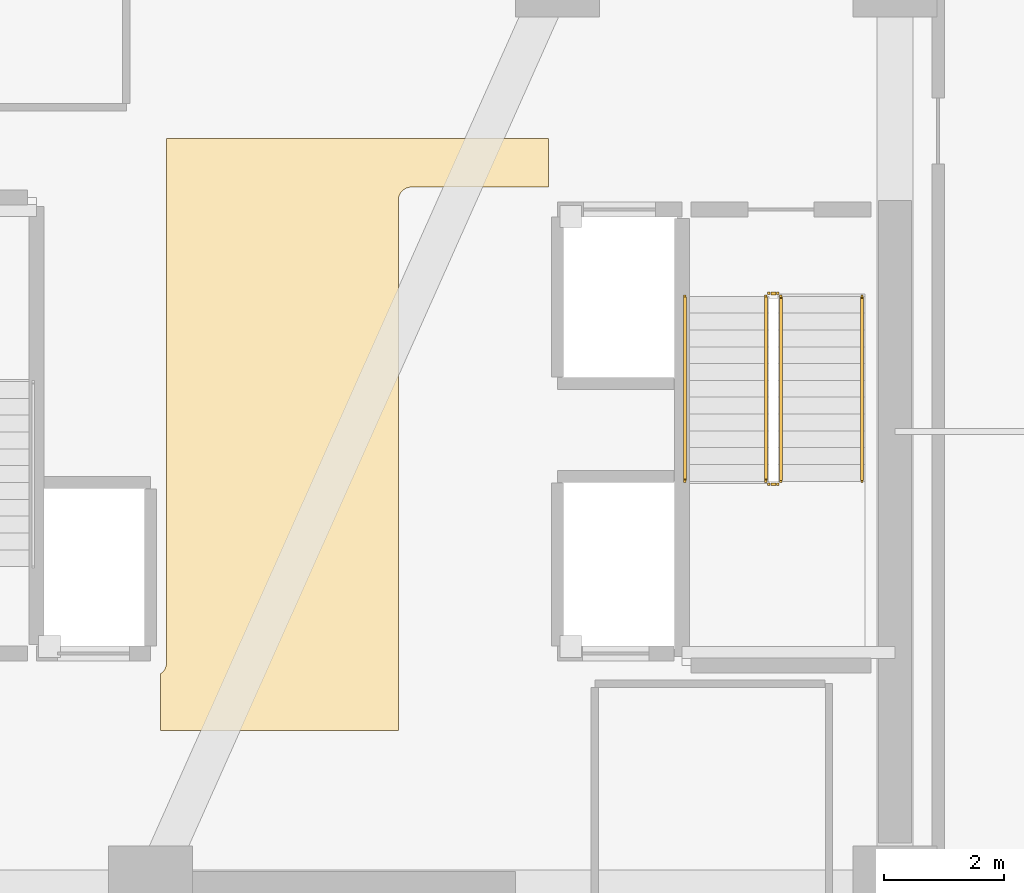
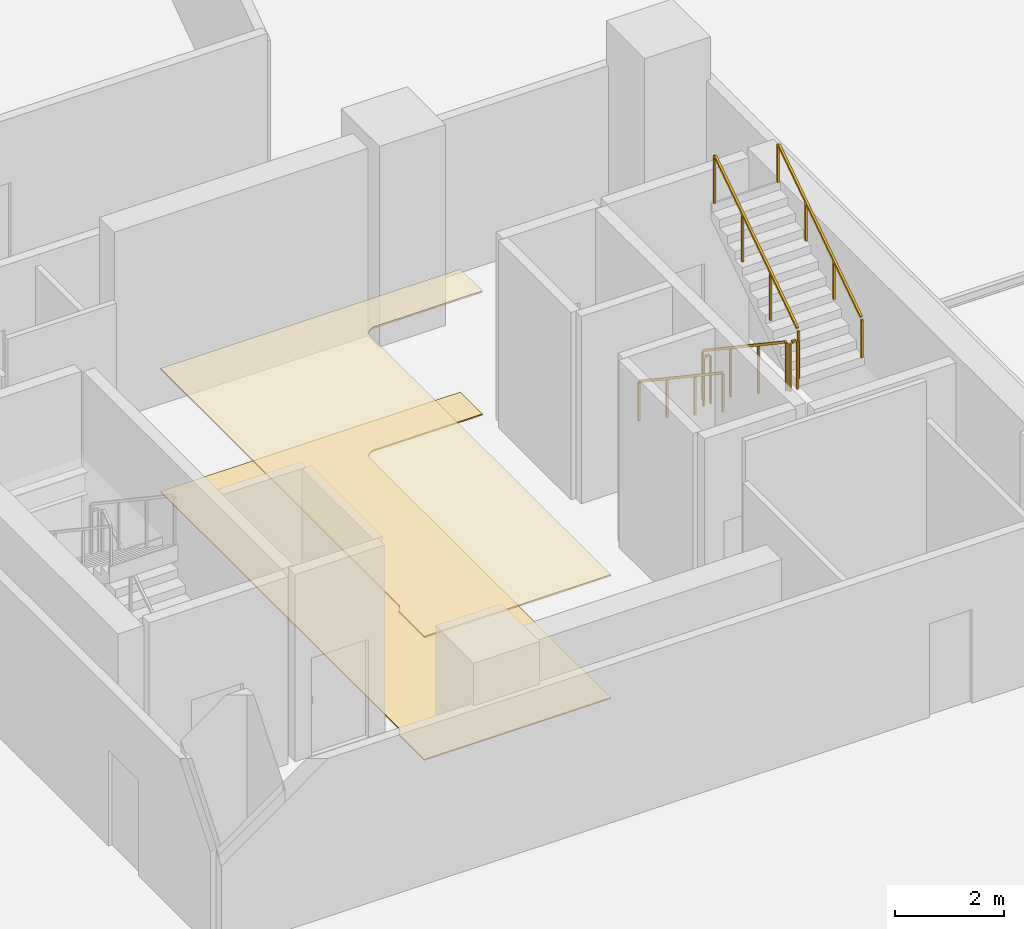
# One storey, part 12 of 14: 6 railings, 2 coverings.
"""IFC4 building model written with IfcOpenShell, lengths in metres."""

import ifcopenshell
import ifcopenshell.guid

model = None  # the IFC model being written
_history = None  # IfcOwnerHistory: only IFC2X3 demands one
_inside = {}  # id of a spatial element -> (the spatial element, [elements in it])
_under = {}  # id of a project, library or spatial element -> (it, [spatial elements below it])
_declared = {}  # id of a project -> (the project, [libraries it declares])
_typed = {}  # id of a type object -> (the type object, [elements of that type])
_made_of = {}  # id of a material, layer set ... -> (it, [elements and type objects made of it])


def new_model(schema):
    """Start an empty IFC model of exactly this schema.

    Asked for "IFC4X3", IfcOpenShell would pick the latest addendum, in which some entities
    have other attributes; the version numbers below select the first issue.
    IFC2X3 requires an IfcOwnerHistory on every rooted entity: one is made here for all.
    """
    global model, _history
    if schema == "IFC4X3":
        model = ifcopenshell.file(schema_version=(4, 3, 0, 0))
    else:
        model = ifcopenshell.file(schema=schema)
    _inside.clear()
    _under.clear()
    _declared.clear()
    _typed.clear()
    _made_of.clear()
    _history = None
    if model.schema == "IFC2X3":
        org = make("IfcOrganization", Name="unknown")
        user = make(
            "IfcPersonAndOrganization",
            ThePerson=make("IfcPerson", FamilyName="unknown"),
            TheOrganization=org,
        )
        app = make(
            "IfcApplication",
            ApplicationDeveloper=org,
            Version="unknown",
            ApplicationFullName="unknown",
            ApplicationIdentifier="unknown",
        )
        _history = make(
            "IfcOwnerHistory",
            OwningUser=user,
            OwningApplication=app,
            ChangeAction="ADDED",
            CreationDate=0,
        )
    return model


def make(cls, **values):
    """One entity of the class cls with the attributes given. An attribute that is None is left unset."""
    return model.create_entity(
        cls, **{name: value for name, value in values.items() if value is not None}
    )


def rooted(cls, **values):
    """An entity with a GlobalId (a new one), such as an element, a storey or a relation."""
    return make(cls, GlobalId=ifcopenshell.guid.new(), OwnerHistory=_history, **values)


def si_unit(unit_type, name, prefix=None):
    """IfcSIUnit, for example si_unit("LENGTHUNIT", "METRE", prefix="MILLI")."""
    return make("IfcSIUnit", UnitType=unit_type, Prefix=prefix, Name=name)


def assignment(units):
    """IfcUnitAssignment: the units of a project."""
    return None if units is None else make("IfcUnitAssignment", Units=units)


def point(xyz):
    """IfcCartesianPoint."""
    return None if xyz is None else make("IfcCartesianPoint", Coordinates=xyz)


def direction(xyz):
    """IfcDirection."""
    return None if xyz is None else make("IfcDirection", DirectionRatios=xyz)


def frame(location, z_axis=None, x_axis=None):
    """IfcAxis2Placement3D, a coordinate frame: its origin and axes. An axis left out is left unset."""
    return make(
        "IfcAxis2Placement3D",
        Location=point(location),
        Axis=direction(z_axis),
        RefDirection=direction(x_axis),
    )


def frame_2d(location, x_axis=None):
    """IfcAxis2Placement2D, a coordinate frame in the plane: its origin and x axis."""
    return make(
        "IfcAxis2Placement2D", Location=point(location), RefDirection=direction(x_axis)
    )


def origin():
    """The frame at (0, 0, 0) with its axes left unset."""
    return frame((0.0, 0.0, 0.0))


def origin_2d():
    """The frame at (0, 0) in the plane with its x axis left unset."""
    return frame_2d((0.0, 0.0))


def place(relative_to, where):
    """IfcLocalPlacement: puts the frame where relative to a parent placement (None: the world)."""
    return make(
        "IfcLocalPlacement", PlacementRelTo=relative_to, RelativePlacement=where
    )


def context(
    kind, dimensions, precision=None, world=None, true_north=None, identifier=None
):
    """IfcGeometricRepresentationContext, for example the 3D "Model" context."""
    return make(
        "IfcGeometricRepresentationContext",
        ContextIdentifier=identifier,
        ContextType=kind,
        CoordinateSpaceDimension=dimensions,
        Precision=precision,
        WorldCoordinateSystem=world,
        TrueNorth=true_north,
    )


def subcontext(parent, identifier, kind, view, scale=None):
    """IfcGeometricRepresentationSubContext, for example "Body" below "Model"."""
    return make(
        "IfcGeometricRepresentationSubContext",
        ContextIdentifier=identifier,
        ContextType=kind,
        ParentContext=parent,
        TargetScale=scale,
        TargetView=view,
    )


def project(units=None, contexts=None):
    """IfcProject with its units and contexts."""
    return rooted(
        "IfcProject",
        Name="project",
        RepresentationContexts=contexts,
        UnitsInContext=assignment(units),
    )


def spatial(cls, under=None, at=None, **own):
    """A site, building, storey or space (cls), placed at a placement, below another one or the project."""
    s = rooted(cls, ObjectPlacement=at, **own)
    if under is not None:
        _under.setdefault(under.id(), (under, []))[1].append(s)
    return s


def polyline(points):
    """IfcPolyline through the points."""
    return make("IfcPolyline", Points=[point(p) for p in points])


def profile(cls, at=None, kind="AREA", **sizes):
    """A parametric profile (cls). Its sizes go by their IFC names, for example OverallWidth=200.0."""
    return make(cls, ProfileType=kind, Position=at, **sizes)


def rectangle(**sizes):
    """IfcRectangleProfileDef."""
    return profile("IfcRectangleProfileDef", **sizes)


def outline(outer, holes=None, kind="AREA"):
    """IfcArbitraryClosedProfileDef: a profile drawn as a closed curve; with holes, ...WithVoids."""
    if holes is None:
        return make("IfcArbitraryClosedProfileDef", ProfileType=kind, OuterCurve=outer)
    return make(
        "IfcArbitraryProfileDefWithVoids",
        ProfileType=kind,
        OuterCurve=outer,
        InnerCurves=holes,
    )


def extrude(swept, where, along, depth):
    """IfcExtrudedAreaSolid: the profile swept, set in the frame where, extruded along a direction by depth."""
    return make(
        "IfcExtrudedAreaSolid",
        SweptArea=swept,
        Position=where,
        ExtrudedDirection=direction(along),
        Depth=depth,
    )


def shape(context_of_items, identifier, shape_type, items):
    """IfcShapeRepresentation: the items that make up one representation, for example the "Body"."""
    return make(
        "IfcShapeRepresentation",
        ContextOfItems=context_of_items,
        RepresentationIdentifier=identifier,
        RepresentationType=shape_type,
        Items=items,
    )


def material(Name=None, Category=None):
    """IfcMaterial."""
    return make("IfcMaterial", Name=Name, Category=Category)


def layer(
    of_material, thickness, ventilated=None, Name=None, Category=None, Priority=None
):
    """IfcMaterialLayer: one layer of a wall or slab, of a material (None: an air gap)."""
    return make(
        "IfcMaterialLayer",
        Material=of_material,
        LayerThickness=thickness,
        IsVentilated=ventilated,
        Name=Name,
        Category=Category,
        Priority=Priority,
    )


def layer_set(layers, Name=None):
    """IfcMaterialLayerSet."""
    return make("IfcMaterialLayerSet", MaterialLayers=layers, LayerSetName=Name)


def made_of(thing, what):
    """Note that an element or type object is made of a material, layer set ...; save() writes the relation."""
    if what is not None:
        _made_of.setdefault(what.id(), (what, []))[1].append(thing)
    return thing


def type_object(cls, material=None, **own):
    """A type object (cls), such as IfcWallType, which elements share."""
    return made_of(rooted(cls, **own), material)


def element(
    cls,
    number,
    at=None,
    inside=None,
    cuts=None,
    type_object=None,
    material=None,
    context=None,
    identifier="Body",
    shape_type=None,
    held_by="IfcProductDefinitionShape",
    body=None,
    shapes=None,
    **own,
):
    """One element of the class cls, such as IfcWall. Its Tag is "e" and its number.

    at: its placement. inside: the storey or other place that contains it. cuts: it is an
    opening in that element (IfcRelVoidsElement). A single representation is given by context,
    identifier, shape_type and body (its items); several are given by shapes. held_by: the class
    of the entity that holds the representations. save() writes the other relations.
    """
    e = rooted(cls, Tag="e%d" % number, ObjectPlacement=at, **own)
    if body is not None:
        shapes = [shape(context, identifier, shape_type, body)]
    if shapes is not None:
        e.Representation = make(held_by, Representations=shapes)
    if inside is not None:
        _inside.setdefault(inside.id(), (inside, []))[1].append(e)
    if cuts is not None:
        rooted(
            "IfcRelVoidsElement", RelatingBuildingElement=cuts, RelatedOpeningElement=e
        )
    if type_object is not None:
        _typed.setdefault(type_object.id(), (type_object, []))[1].append(e)
    return made_of(e, material)


def aggregate(whole, parts):
    """IfcRelAggregates: a whole, such as a stair, and the parts it consists of."""
    return rooted("IfcRelAggregates", RelatingObject=whole, RelatedObjects=parts)


def save(model, path):
    """Write the relations noted so far, then the file.

    IfcRelAggregates (storeys below a building ...), IfcRelContainedInSpatialStructure (elements
    in a storey), IfcRelDefinesByType, IfcRelAssociatesMaterial and IfcRelDeclares: one each for
    every whole, place, type object, material and project.
    """
    for whole, parts in _under.values():
        aggregate(whole, parts)
    for where, things in _inside.values():
        rooted(
            "IfcRelContainedInSpatialStructure",
            RelatedElements=things,
            RelatingStructure=where,
        )
    for kind, things in _typed.values():
        rooted("IfcRelDefinesByType", RelatedObjects=things, RelatingType=kind)
    for what, things in _made_of.values():
        rooted("IfcRelAssociatesMaterial", RelatedObjects=things, RelatingMaterial=what)
    for by, libraries in _declared.values():
        rooted("IfcRelDeclares", RelatingContext=by, RelatedDefinitions=libraries)
    model.write(path)


model = new_model("IFC4")

# Units and contexts
model_context = context("Model", 3, precision=1e-05, world=origin(), true_north=direction((0.0, 1.0)))
body_context = subcontext(model_context, "Body", "Model", "MODEL_VIEW")
ifc_project = project(units=[si_unit("LENGTHUNIT", "METRE"), si_unit("AREAUNIT", "SQUARE_METRE"), si_unit("VOLUMEUNIT", "CUBIC_METRE"), si_unit("PLANEANGLEUNIT", "RADIAN"), si_unit("MASSUNIT", "GRAM", prefix="KILO")], contexts=[model_context])

# Site, building, storey
site_placement = place(None, origin())
site = spatial("IfcSite", under=ifc_project, at=site_placement, CompositionType="ELEMENT")
building_placement = place(site_placement, origin())
building = spatial("IfcBuilding", under=site, at=building_placement, Name="Tharavind Bronze Gate", CompositionType="ELEMENT")
storey_placement = place(building_placement, frame((0.0, 0.0, -4.5)))
storey = spatial("IfcBuildingStorey", under=building, at=storey_placement, Name="B01", CompositionType="ELEMENT", Elevation=-4.5)

# Coverings
ifc_material_1 = material(Name="Perforated Bronze Acoustic Panel", Category="bronze")
ifc_layer_1 = layer(ifc_material_1, 0.044921875)
ifc_layer_set_1 = layer_set([ifc_layer_1], Name="Perforated Bronze Acoustic Panel")
covering_type_1 = type_object("IfcCoveringType", Name="ACOUSTIC BRONZE BAFFLE CEILING", PredefinedType="CEILING", material=ifc_layer_set_1)
covering_1_placement = place(storey_placement, frame((0.0, 0.0, 2.75)))
element("IfcCovering", 1, at=covering_1_placement, inside=storey, type_object=covering_type_1, Name="B01-C-LL suspended ceiling", PredefinedType="CEILING", context=body_context, shape_type="SweptSolid", body=[
    extrude(outline(polyline([(-3.330078125, -4.97998046875), (0.6298828125, -4.97998046875), (0.6298828125, 3.85009765625), (0.631103515625, 3.87158203125), (0.63427734375, 3.892822265625), (0.639404296875, 3.913818359375), (0.646728515625, 3.93408203125), (0.656005859375, 3.95361328125), (0.6669921875, 3.97216796875), (0.679931640625, 3.989501953125), (0.6943359375, 4.005615234375), (0.71044921875, 4.02001953125), (0.727783203125, 4.032958984375), (0.746337890625, 4.0439453125), (0.765869140625, 4.05322265625), (0.7861328125, 4.060546875), (0.80712890625, 4.06591796875), (0.828369140625, 4.06884765625), (0.85009765625, 4.070068359375), (3.1298828125, 4.070068359375), (3.1298828125, 4.8798828125), (-3.22998046875, 4.8798828125), (-3.22998046875, -3.85009765625), (-3.231201171875, -3.87158203125), (-3.234130859375, -3.892822265625), (-3.239501953125, -3.913818359375), (-3.24658203125, -3.93408203125), (-3.256103515625, -3.95361328125), (-3.26708984375, -3.97216796875), (-3.27978515625, -3.989501953125), (-3.29443359375, -4.005615234375), (-3.310302734375, -4.02001953125), (-3.327880859375, -4.032958984375), (-3.330078125, -4.0341796875), (-3.330078125, -4.97998046875)])), origin(), (0.0, 0.0, 1.0), 0.034912109375),
])
ifc_material_2 = material(Name="Honed Travertine Limestone", Category="masonry")
ifc_layer_2 = layer(ifc_material_2, 0.030029296875)
ifc_layer_set_2 = layer_set([ifc_layer_2], Name="Honed Travertine Limestone")
covering_type_2 = type_object("IfcCoveringType", Name="HONED LIMESTONE FLOORING", PredefinedType="FLOORING", material=ifc_layer_set_2)
covering_2_placement = place(storey_placement, origin())
element("IfcCovering", 2, at=covering_2_placement, inside=storey, type_object=covering_type_2, Name="B01-C-LL floor finish", PredefinedType="FLOORING", context=body_context, shape_type="SweptSolid", body=[
    extrude(outline(polyline([(-3.330078125, -4.97998046875), (0.6298828125, -4.97998046875), (0.6298828125, 3.85009765625), (0.631103515625, 3.87158203125), (0.63427734375, 3.892822265625), (0.639404296875, 3.913818359375), (0.646728515625, 3.93408203125), (0.656005859375, 3.95361328125), (0.6669921875, 3.97216796875), (0.679931640625, 3.989501953125), (0.6943359375, 4.005615234375), (0.71044921875, 4.02001953125), (0.727783203125, 4.032958984375), (0.746337890625, 4.0439453125), (0.765869140625, 4.05322265625), (0.7861328125, 4.060546875), (0.80712890625, 4.06591796875), (0.828369140625, 4.06884765625), (0.85009765625, 4.070068359375), (3.1298828125, 4.070068359375), (3.1298828125, 4.8798828125), (-3.22998046875, 4.8798828125), (-3.22998046875, -3.85009765625), (-3.231201171875, -3.87158203125), (-3.234130859375, -3.892822265625), (-3.239501953125, -3.913818359375), (-3.24658203125, -3.93408203125), (-3.256103515625, -3.95361328125), (-3.26708984375, -3.97216796875), (-3.27978515625, -3.989501953125), (-3.29443359375, -4.005615234375), (-3.310302734375, -4.02001953125), (-3.327880859375, -4.032958984375), (-3.330078125, -4.0341796875), (-3.330078125, -4.97998046875)])), origin(), (0.0, 0.0, 1.0), 0.02490234375),
])

# Railings
ifc_material_3 = material(Name="Brushed Bronze Alloy", Category="metal")
railing_type_1 = type_object("IfcRailingType", Name="STAIR BRONZE HANDRAIL 900", PredefinedType="HANDRAIL", material=ifc_material_3)
railing_1_placement = place(storey_placement, frame((5.39990234375, 2.25, 0.1875)))
element("IfcRailing", 3, at=railing_1_placement, inside=storey, type_object=railing_type_1, Name="B01 ST2 stair handrail 1", PredefinedType="HANDRAIL", context=body_context, shape_type="SweptSolid", body=[
    extrude(rectangle(XDim=0.048095703125, YDim=0.048095703125, at=origin_2d()), frame((0.0, -0.026611328125, 0.8935546875), z_axis=(0.0, -0.830913701846, 0.55640131208), x_axis=(1.0, 0.0, 0.0)), (0.0, 0.0, 1.0), 3.642822265625),
    extrude(rectangle(XDim=0.0400390625, YDim=0.0400390625, at=origin_2d()), origin(), (0.0, 0.0, 1.0), 0.847900390625),
    extrude(rectangle(XDim=0.0400390625, YDim=0.0400390625, at=origin_2d()), frame((0.0, -1.026611328125, 0.6875)), (0.0, 0.0, 1.0), 0.847900390625),
    extrude(rectangle(XDim=0.0400390625, YDim=0.0400390625, at=origin_2d()), frame((0.0, -2.053466796875, 1.375)), (0.0, 0.0, 1.0), 0.847900390625),
    extrude(rectangle(XDim=0.0400390625, YDim=0.0400390625, at=origin_2d()), frame((0.0, -3.080078125, 2.0625)), (0.0, 0.0, 1.0), 0.847900390625),
])
railing_2_placement = place(storey_placement, frame((8.35009765625, -0.830078125, 2.4375)))
element("IfcRailing", 4, at=railing_2_placement, inside=storey, type_object=railing_type_1, Name="B01 ST2 stair handrail 2", PredefinedType="HANDRAIL", context=body_context, shape_type="SweptSolid", body=[
    extrude(rectangle(XDim=0.048095703125, YDim=0.048095703125, at=origin_2d()), frame((0.0, 0.026611328125, 0.8935546875), z_axis=(0.0, 0.830913701846, 0.55640131208), x_axis=(-1.0, 0.0, 0.0)), (0.0, 0.0, 1.0), 3.642822265625),
    extrude(rectangle(XDim=0.0400390625, YDim=0.0400390625, at=origin_2d()), origin(), (0.0, 0.0, 1.0), 0.847900390625),
    extrude(rectangle(XDim=0.0400390625, YDim=0.0400390625, at=origin_2d()), frame((0.0, 1.026611328125, 0.6875)), (0.0, 0.0, 1.0), 0.847900390625),
    extrude(rectangle(XDim=0.0400390625, YDim=0.0400390625, at=origin_2d()), frame((0.0, 2.053466796875, 1.375)), (0.0, 0.0, 1.0), 0.847900390625),
    extrude(rectangle(XDim=0.0400390625, YDim=0.0400390625, at=origin_2d()), frame((0.0, 3.080078125, 2.0625)), (0.0, 0.0, 1.0), 0.847900390625),
])
railing_type_2 = type_object("IfcRailingType", Name="STAIR WELL GUARD RAILING 1120", PredefinedType="GUARDRAIL", material=ifc_material_3)
railing_3_placement = place(storey_placement, frame((6.75, 2.25, 0.1875)))
element("IfcRailing", 5, at=railing_3_placement, inside=storey, type_object=railing_type_2, Name="B01 ST2 stair guard 1", PredefinedType="GUARDRAIL", context=body_context, shape_type="SweptSolid", body=[
    extrude(rectangle(XDim=0.048095703125, YDim=0.048095703125, at=origin_2d()), frame((0.0, -0.026611328125, 1.11376953125), z_axis=(0.0, -0.830913701846, 0.55640131208), x_axis=(1.0, 0.0, 0.0)), (0.0, 0.0, 1.0), 3.642822265625),
    extrude(rectangle(XDim=0.0400390625, YDim=0.0400390625, at=origin_2d()), origin(), (0.0, 0.0, 1.0), 1.068115234375),
    extrude(rectangle(XDim=0.0400390625, YDim=0.0400390625, at=origin_2d()), frame((0.0, -1.026611328125, 0.6875)), (0.0, 0.0, 1.0), 1.068115234375),
    extrude(rectangle(XDim=0.0400390625, YDim=0.0400390625, at=origin_2d()), frame((0.0, -2.053466796875, 1.375)), (0.0, 0.0, 1.0), 1.068115234375),
    extrude(rectangle(XDim=0.0400390625, YDim=0.0400390625, at=origin_2d()), frame((0.0, -3.080078125, 2.0625)), (0.0, 0.0, 1.0), 1.068115234375),
])
railing_4_placement = place(storey_placement, frame((6.800048828125, -0.8798828125, 2.25)))
element("IfcRailing", 6, at=railing_4_placement, inside=storey, type_object=railing_type_2, Name="B01 ST2 stair guard 2", PredefinedType="GUARDRAIL", context=body_context, shape_type="SweptSolid", body=[
    extrude(rectangle(XDim=0.048095703125, YDim=0.048095703125, at=origin_2d()), frame((0.031982421875, 0.0, 1.09619140625), z_axis=(1.0, 0.0, 0.0), x_axis=(0.0, 1.0, 0.0)), (0.0, 0.0, 1.0), 0.0859375),
    extrude(rectangle(XDim=0.0400390625, YDim=0.0400390625, at=origin_2d()), origin(), (0.0, 0.0, 1.0), 1.068115234375),
    extrude(rectangle(XDim=0.0400390625, YDim=0.0400390625, at=origin_2d()), frame((0.14990234375, 0.0, 0.0)), (0.0, 0.0, 1.0), 1.068115234375),
])
railing_5_placement = place(storey_placement, frame((7.0, -0.830078125, 2.4375)))
element("IfcRailing", 7, at=railing_5_placement, inside=storey, type_object=railing_type_2, Name="B01 ST2 stair guard 3", PredefinedType="GUARDRAIL", context=body_context, shape_type="SweptSolid", body=[
    extrude(rectangle(XDim=0.048095703125, YDim=0.048095703125, at=origin_2d()), frame((0.0, 0.026611328125, 1.11376953125), z_axis=(0.0, 0.830913701846, 0.55640131208), x_axis=(-1.0, 0.0, 0.0)), (0.0, 0.0, 1.0), 3.642822265625),
    extrude(rectangle(XDim=0.0400390625, YDim=0.0400390625, at=origin_2d()), origin(), (0.0, 0.0, 1.0), 1.068115234375),
    extrude(rectangle(XDim=0.0400390625, YDim=0.0400390625, at=origin_2d()), frame((0.0, 1.026611328125, 0.6875)), (0.0, 0.0, 1.0), 1.068115234375),
    extrude(rectangle(XDim=0.0400390625, YDim=0.0400390625, at=origin_2d()), frame((0.0, 2.053466796875, 1.375)), (0.0, 0.0, 1.0), 1.068115234375),
    extrude(rectangle(XDim=0.0400390625, YDim=0.0400390625, at=origin_2d()), frame((0.0, 3.080078125, 2.0625)), (0.0, 0.0, 1.0), 1.068115234375),
])
railing_6_placement = place(storey_placement, frame((6.800048828125, 2.300048828125, 0.0)))
element("IfcRailing", 8, at=railing_6_placement, inside=storey, type_object=railing_type_2, Name="B01 ST2 stair guard 4", PredefinedType="GUARDRAIL", context=body_context, shape_type="SweptSolid", body=[
    extrude(rectangle(XDim=0.048095703125, YDim=0.048095703125, at=origin_2d()), frame((0.031982421875, 0.0, 1.09619140625), z_axis=(1.0, 0.0, 0.0), x_axis=(0.0, 1.0, 0.0)), (0.0, 0.0, 1.0), 0.0859375),
    extrude(rectangle(XDim=0.0400390625, YDim=0.0400390625, at=origin_2d()), origin(), (0.0, 0.0, 1.0), 1.068115234375),
    extrude(rectangle(XDim=0.0400390625, YDim=0.0400390625, at=origin_2d()), frame((0.14990234375, 0.0, 0.0)), (0.0, 0.0, 1.0), 1.068115234375),
])

save(model, "model.ifc")
